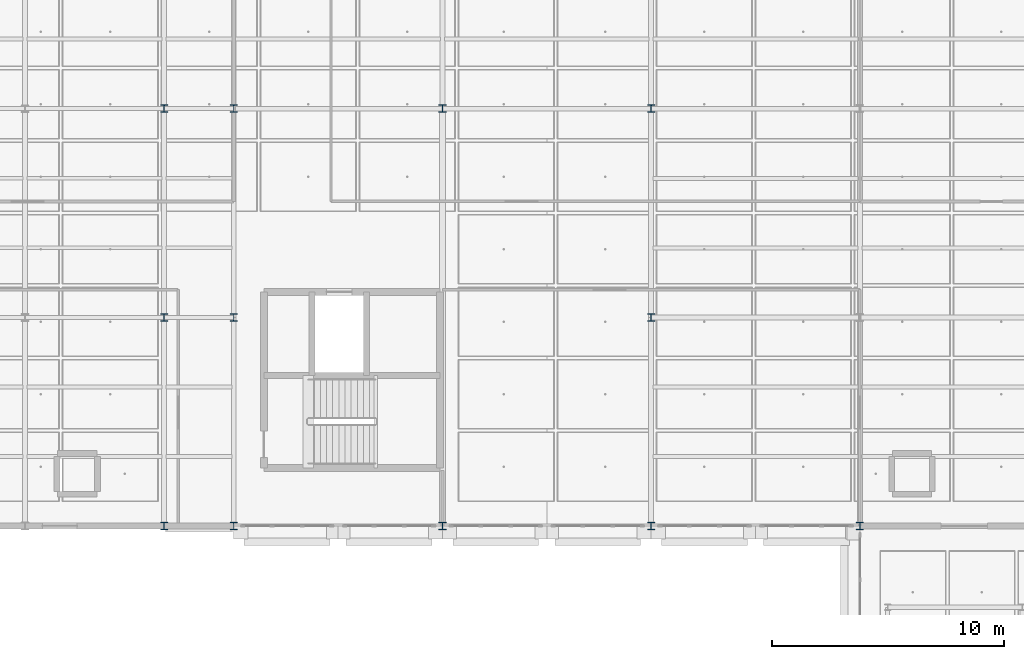
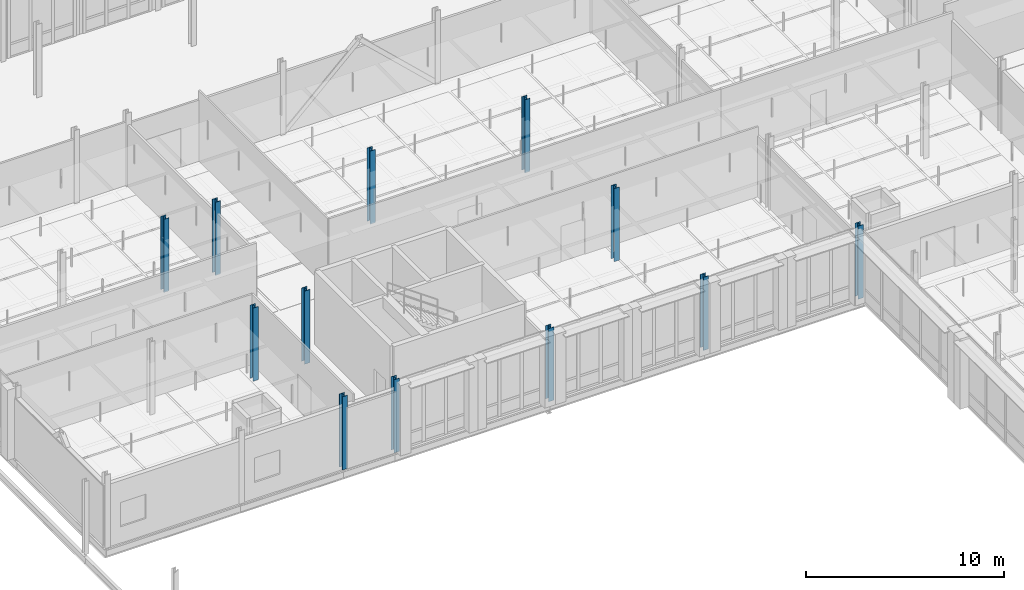
# One storey, part 15 of 130: 12 columns.
"""IFC4 building model written with IfcOpenShell, lengths in metres."""

from ifc_helpers import new_model, si_unit, direction, frame, origin, origin_2d, place, context, subcontext, project, spatial, i_section, extrude, material, material_profile, profile_set, type_object, element, save


model = new_model("IFC4")

# Units and contexts
model_context = context("Model", 3, precision=1e-05, world=origin(), true_north=direction((0.0, 1.0)))
body_context = subcontext(model_context, "Body", "Model", "MODEL_VIEW")
ifc_project = project(units=[si_unit("LENGTHUNIT", "METRE"), si_unit("AREAUNIT", "SQUARE_METRE"), si_unit("VOLUMEUNIT", "CUBIC_METRE"), si_unit("PLANEANGLEUNIT", "RADIAN"), si_unit("MASSUNIT", "GRAM", prefix="KILO"), si_unit("THERMODYNAMICTEMPERATUREUNIT", "KELVIN"), si_unit("POWERUNIT", "WATT")], contexts=[model_context])

# Site, building, storey
site_placement = place(None, origin())
site = spatial("IfcSite", under=ifc_project, at=site_placement, CompositionType="ELEMENT")
building_placement = place(site_placement, origin())
building = spatial("IfcBuilding", under=site, at=building_placement, Name="Tallowbark Science Centre", CompositionType="ELEMENT")
storey_placement = place(building_placement, frame((0.0, 0.0, 5.39990234375)))
storey = spatial("IfcBuildingStorey", under=building, at=storey_placement, Name="L01", CompositionType="ELEMENT", Elevation=5.39990234375)

# Columns
ifc_material = material(Name="Structural Steel Grade 300PLUS (300 MPa)", Category="steel")
ifc_material_profile = material_profile(ifc_material, i_section(OverallWidth=0.30908203125, OverallDepth=0.320556640625, WebThickness=0.013916015625, FlangeThickness=0.021728515625, FilletRadius=0.0166015625, at=origin_2d()), Name="310UC137")
ifc_profile_set = profile_set([ifc_material_profile], Name="Structural Steel Grade 300PLUS (300 MPa)")
column_type = type_object("IfcColumnType", Name="COL-UC310B", PredefinedType="COLUMN", material=ifc_profile_set)
for number, where, z_axis, x_axis, name in (
    (1, (69.0, 72.0, 0.0), (0.0, 0.0, 1.0), (1.0, 0.0, 0.0), "Column LAB-2_0 L01"),
    (2, (69.0, 81.0, 0.0), (0.0, 0.0, 1.0), (1.0, 0.0, 0.0), "Column LAB-2_1 L01"),
    (3, (69.0, 90.0, 0.0), (0.0, 0.0, 1.0), (1.0, 0.0, 0.0), "Column LAB-2_2 L01"),
    (4, (72.0, 72.0, 0.0), (0.0, 0.0, 1.0), (1.0, 0.0, 0.0), "Column LAB-3_0 L01"),
    (5, (72.0, 81.0, 0.0), (0.0, 0.0, 1.0), (1.0, 0.0, 0.0), "Column LAB-3_1 L01"),
    (6, (72.0, 90.0, 0.0), (0.0, 0.0, 1.0), (1.0, 0.0, 0.0), "Column LAB-3_2 L01"),
    (7, (81.0, 72.0, 0.0), (0.0, 0.0, 1.0), (1.0, 0.0, 0.0), "Column LAB-4_0 L01"),
    (8, (81.0, 90.0, 0.0), (0.0, 0.0, 1.0), (1.0, 0.0, 0.0), "Column LAB-4_2 L01"),
    (9, (90.0, 72.0, 0.0), (0.0, 0.0, 1.0), (1.0, 0.0, 0.0), "Column LAB-5_0 L01"),
    (10, (90.0, 81.0, 0.0), (0.0, 0.0, 1.0), (1.0, 0.0, 0.0), "Column LAB-5_1 L01"),
    (11, (90.0, 90.0, 0.0), (0.0, 0.0, 1.0), (1.0, 0.0, 0.0), "Column LAB-5_2 L01"),
    (12, (99.0, 72.0, 0.0), (0.0, 0.0, 1.0), (1.0, 0.0, 0.0), "Column LAB-6_0 L01"),
):
    element("IfcColumn", number, at=place(storey_placement, frame(where, z_axis=z_axis, x_axis=x_axis)), inside=storey, type_object=column_type, Name=name, PredefinedType="COLUMN", context=body_context, shape_type="SweptSolid", body=[
        extrude(i_section(OverallWidth=0.30908203125, OverallDepth=0.320556640625, WebThickness=0.013916015625, FlangeThickness=0.021728515625, FilletRadius=0.0166015625, at=origin_2d()), origin(), (0.0, 0.0, 1.0), 4.5),
    ])

save(model, "model.ifc")
